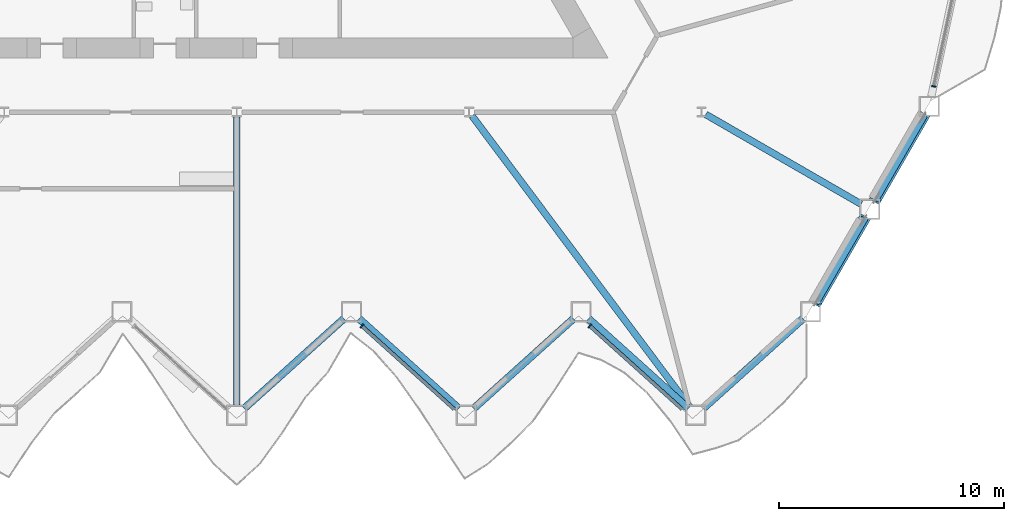
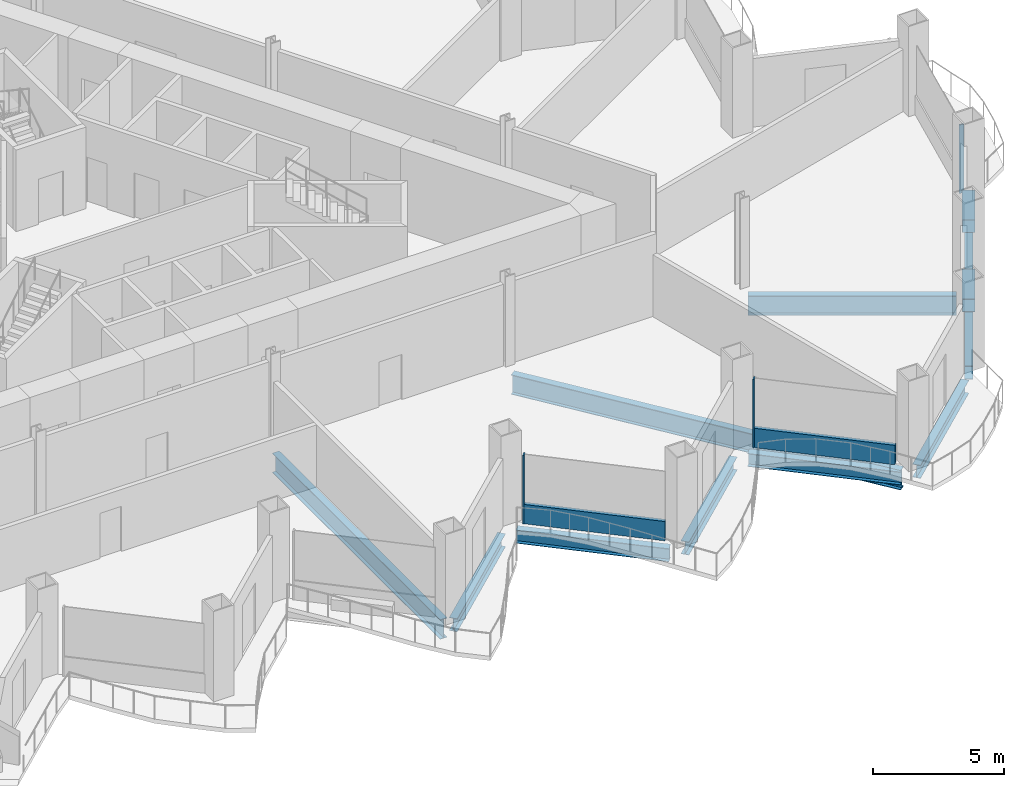
# One storey, part 5 of 21: 10 beams, 7 members, 3 elements without a shape of their own.
"""IFC4 building model written with IfcOpenShell, lengths in metres."""

from ifc_helpers import new_model, si_unit, direction, frame, origin, origin_2d, place, context, subcontext, project, spatial, rectangle, hollow_rectangle, i_section, extrude, material, layer, layer_set, material_profile, profile_set, type_object, element, aggregate, save


model = new_model("IFC4")

# Units and contexts
model_context = context("Model", 3, precision=1e-05, world=origin(), true_north=direction((0.0, 1.0)))
body_context = subcontext(model_context, "Body", "Model", "MODEL_VIEW")
ifc_project = project(units=[si_unit("LENGTHUNIT", "METRE"), si_unit("AREAUNIT", "SQUARE_METRE"), si_unit("VOLUMEUNIT", "CUBIC_METRE"), si_unit("PLANEANGLEUNIT", "RADIAN"), si_unit("MASSUNIT", "GRAM", prefix="KILO")], contexts=[model_context])

# Site, building, storey
site_placement = place(None, origin())
site = spatial("IfcSite", under=ifc_project, at=site_placement, CompositionType="ELEMENT")
building_placement = place(site_placement, origin())
building = spatial("IfcBuilding", under=site, at=building_placement, Name="Cormorant Prow Tower", CompositionType="ELEMENT")
storey_placement = place(building_placement, frame((0.0, 0.0, 137.39990234375)))
storey = spatial("IfcBuildingStorey", under=building, at=storey_placement, Name="L29", CompositionType="ELEMENT", Elevation=137.39990234375)

# Members
ifc_material_1 = material(Name="Structural steel ASTM A500 Gr C", Category="steel")
ifc_material_profile_1 = material_profile(ifc_material_1, hollow_rectangle(XDim=0.508056640625, YDim=0.508056640625, WallThickness=0.014892578125, at=origin_2d()), Name="HSS20x20x5/8")
ifc_profile_set_1 = profile_set([ifc_material_profile_1], Name="Structural steel ASTM A500 Gr C")
member_type_1 = type_object("IfcMemberType", Name="Chamfer brace HSS20x20x5/8", PredefinedType="BRACE", material=ifc_profile_set_1)
for number, where, z_axis, x_axis, name in (
    (1, (27.900634765625, -16.648681640625, 0.776611328125), (-0.467784671838, -0.810243526908, 0.35310469821), (0.866029868417, -0.499992266949, 0.0), "Chamfer brace BR1 at ESE00 L29"),
    (2, (30.535400390625, -12.0849609375, 0.776611328125), (-0.467784671838, -0.810243526908, 0.35310469821), (0.866029868417, -0.499992266949, 0.0), "Chamfer brace BR1 at ESE01 L29"),
):
    element("IfcMember", number, at=place(storey_placement, frame(where, z_axis=z_axis, x_axis=x_axis)), inside=storey, type_object=member_type_1, Name=name, PredefinedType="BRACE", context=body_context, shape_type="SweptSolid", body=[
        extrude(hollow_rectangle(XDim=0.508056640625, YDim=0.508056640625, WallThickness=0.014892578125, at=origin_2d()), origin(), (0.0, 0.0, 1.0), 4.632568359375),
    ])

# Curtain wall, member
ifc_material_2 = material(Name="Aluminium 6063-T6", Category="aluminium")
ifc_layer = layer(ifc_material_2, 0.199951171875)
ifc_layer_set = layer_set([ifc_layer], Name="Aluminium 6063-T6")
curtain_wall_type = type_object("IfcCurtainWallType", Name="Office unitised curtain wall 200", PredefinedType="NOTDEFINED", material=ifc_layer_set)
curtain_wall_1_placement = place(storey_placement, origin())
curtain_wall_1 = element("IfcCurtainWall", 3, at=curtain_wall_1_placement, inside=storey, type_object=curtain_wall_type, Name="Office curtain wall S06", PredefinedType="NOTDEFINED")
ifc_material_3 = material(Name="Aluminium 6063-T6", Category="aluminium")
ifc_material_profile_2 = material_profile(ifc_material_3, rectangle(XDim=0.199951171875, YDim=0.06005859375, at=origin_2d()), Name="Office mullion 60x200")
ifc_profile_set_2 = profile_set([ifc_material_profile_2], Name="Aluminium 6063-T6")
member_type_2 = type_object("IfcMemberType", Name="Office mullion 60x200", PredefinedType="MULLION", material=ifc_profile_set_2)
member_1_placement = place(storey_placement, frame((5.5595703125, -21.43359375, 0.0), z_axis=(0.0, 0.0, 1.0), x_axis=(0.669130582818, 0.743144846674, 0.0)))
member_1 = element("IfcMember", 4, at=member_1_placement, type_object=member_type_2, Name="Office mullion S06", PredefinedType="MULLION", context=body_context, shape_type="SweptSolid", body=[
    extrude(rectangle(XDim=0.199951171875, YDim=0.06005859375, at=origin_2d()), origin(), (0.0, 0.0, 1.0), 3.18896484375),
])

curtain_wall_2_placement = place(storey_placement, origin())
curtain_wall_2 = element("IfcCurtainWall", 5, at=curtain_wall_2_placement, inside=storey, type_object=curtain_wall_type, Name="Office curtain wall S08", PredefinedType="NOTDEFINED")
member_2_placement = place(storey_placement, frame((15.6884765625, -21.43359375, 0.0), z_axis=(0.0, 0.0, 1.0), x_axis=(0.669130582818, 0.743144846674, 0.0)))
member_2 = element("IfcMember", 6, at=member_2_placement, type_object=member_type_2, Name="Office mullion S08", PredefinedType="MULLION", context=body_context, shape_type="SweptSolid", body=[
    extrude(rectangle(XDim=0.199951171875, YDim=0.06005859375, at=origin_2d()), origin(), (0.0, 0.0, 1.0), 3.18896484375),
])

curtain_wall_3_placement = place(storey_placement, origin())
curtain_wall_3 = element("IfcCurtainWall", 7, at=curtain_wall_3_placement, inside=storey, type_object=curtain_wall_type, Name="Office curtain wall ENE00", PredefinedType="NOTDEFINED")
member_3_placement = place(storey_placement, frame((30.975830078125, -10.78466796875, 0.0), z_axis=(0.0, 0.0, 1.0), x_axis=(-0.978147594572, 0.207911719806, 0.0)))
member_3 = element("IfcMember", 8, at=member_3_placement, type_object=member_type_2, Name="Office mullion ENE00", PredefinedType="MULLION", context=body_context, shape_type="SweptSolid", body=[
    extrude(rectangle(XDim=0.199951171875, YDim=0.06005859375, at=origin_2d()), origin(), (0.0, 0.0, 1.0), 3.18896484375),
])
aggregate(curtain_wall_3, [member_3])

# Member
ifc_material_4 = material(Name="Terracotta", Category="masonry")
ifc_material_profile_3 = material_profile(ifc_material_4, rectangle(XDim=0.159912109375, YDim=0.89990234375, at=origin_2d()), Name="Office terracotta spandrel rail 160x900")
ifc_profile_set_3 = profile_set([ifc_material_profile_3], Name="Terracotta")
member_type_3 = type_object("IfcMemberType", Name="Office terracotta spandrel rail 160x900", PredefinedType="USERDEFINED", material=ifc_profile_set_3)
member_4_placement = place(storey_placement, frame((5.581787109375, -21.453857421875, 0.4501953125), z_axis=(0.743161287597, -0.669112322871, 0.0), x_axis=(0.669112322871, 0.743161287597, 0.0)))
member_4 = element("IfcMember", 9, at=member_4_placement, type_object=member_type_3, Name="Office spandrel rail S06", ObjectType="TRANSOM", PredefinedType="USERDEFINED", context=body_context, shape_type="SweptSolid", body=[
    extrude(rectangle(XDim=0.159912109375, YDim=0.89990234375, at=origin_2d()), origin(), (0.0, 0.0, 1.0), 5.48291015625),
])

aggregate(curtain_wall_1, [member_1, member_4])

member_5_placement = place(storey_placement, frame((15.710693359375, -21.453857421875, 0.4501953125), z_axis=(0.743161287597, -0.669112322871, 0.0), x_axis=(0.669112322871, 0.743161287597, 0.0)))
member_5 = element("IfcMember", 10, at=member_5_placement, type_object=member_type_3, Name="Office spandrel rail S08", ObjectType="TRANSOM", PredefinedType="USERDEFINED", context=body_context, shape_type="SweptSolid", body=[
    extrude(rectangle(XDim=0.159912109375, YDim=0.89990234375, at=origin_2d()), origin(), (0.0, 0.0, 1.0), 5.48291015625),
])

aggregate(curtain_wall_2, [member_2, member_5])

# Beams
ifc_material_5 = material(Name="Structural steel ASTM A992 Gr 50", Category="steel")
ifc_material_profile_4 = material_profile(ifc_material_5, i_section(OverallWidth=0.3046875, OverallDepth=0.914794921875, WebThickness=0.0166015625, FlangeThickness=0.02587890625, at=origin_2d()), Name="W36x160")
ifc_profile_set_4 = profile_set([ifc_material_profile_4], Name="Structural steel ASTM A992 Gr 50")
beam_type_1 = type_object("IfcBeamType", Name="Radial floor beam W36x160", PredefinedType="BEAM", material=ifc_profile_set_4)
beam_1_placement = place(storey_placement, frame((0.0, -12.143798828125, -0.857177734375), z_axis=(0.0, -1.0, 0.0), x_axis=(1.0, 0.0, 0.0)))
element("IfcBeam", 11, at=beam_1_placement, inside=storey, type_object=beam_type_1, Name="Radial floor beam FB1 7 L29", PredefinedType="BEAM", context=body_context, shape_type="SweptSolid", body=[
    extrude(i_section(OverallWidth=0.3046875, OverallDepth=0.914794921875, WebThickness=0.0166015625, FlangeThickness=0.02587890625, at=origin_2d()), origin(), (0.0, 0.0, 1.0), 12.805419921875),
])
beam_2_placement = place(storey_placement, frame((10.458740234375, -12.100341796875, -0.857177734375), z_axis=(0.598722444929, -0.800956574315, 0.0), x_axis=(0.800956574315, 0.598722444929, 0.0)))
element("IfcBeam", 12, at=beam_2_placement, inside=storey, type_object=beam_type_1, Name="Radial floor beam FB1 8 L29", PredefinedType="BEAM", context=body_context, shape_type="SweptSolid", body=[
    extrude(i_section(OverallWidth=0.3046875, OverallDepth=0.914794921875, WebThickness=0.0166015625, FlangeThickness=0.02587890625, at=origin_2d()), origin(), (0.0, 0.0, 1.0), 16.15380859375),
])
beam_3_placement = place(storey_placement, frame((20.84521484375, -12.034912109375, -0.857177734375), z_axis=(0.866018715534, -0.50001158421, 0.0), x_axis=(0.50001158421, 0.866018715534, 0.0)))
element("IfcBeam", 13, at=beam_3_placement, inside=storey, type_object=beam_type_1, Name="Radial floor beam FB1 9 L29", PredefinedType="BEAM", context=body_context, shape_type="SweptSolid", body=[
    extrude(i_section(OverallWidth=0.3046875, OverallDepth=0.914794921875, WebThickness=0.0166015625, FlangeThickness=0.02587890625, at=origin_2d()), origin(), (0.0, 0.0, 1.0), 7.967041015625),
])
ifc_material_6 = material(Name="Structural steel ASTM A992 Gr 50", Category="steel")
ifc_material_profile_5 = material_profile(ifc_material_6, i_section(OverallWidth=0.32373046875, OverallDepth=0.611083984375, WebThickness=0.0126953125, FlangeThickness=0.01904296875, at=origin_2d()), Name="W24x104")
ifc_profile_set_5 = profile_set([ifc_material_profile_5], Name="Structural steel ASTM A992 Gr 50")
beam_type_2 = type_object("IfcBeamType", Name="Spandrel beam W24x104", PredefinedType="SPANDREL", material=ifc_profile_set_5)
for number, where, z_axis, x_axis, name in (
    (14, (0.33447265625, -25.09814453125, -0.70556640625), (0.743131253571, 0.66914567918, 0.0), (-0.66914567918, 0.743131253571, 0.0), "Spandrel beam SB1 S05-S06 L29"),
    (15, (5.434326171875, -21.108154296875, -0.70556640625), (0.743131253571, -0.66914567918, 0.0), (0.66914567918, 0.743131253571, 0.0), "Spandrel beam SB1 S06-S07 L29"),
    (16, (10.5341796875, -25.09814453125, -0.70556640625), (0.743131253571, 0.66914567918, 0.0), (-0.66914567918, 0.743131253571, 0.0), "Spandrel beam SB1 S07-S08 L29"),
    (17, (15.63427734375, -21.108154296875, -0.70556640625), (0.743131253571, -0.66914567918, 0.0), (0.66914567918, 0.743131253571, 0.0), "Spandrel beam SB1 S08-S09 L29"),
    (18, (20.734130859375, -25.09814453125, -0.70556640625), (0.743131253571, 0.66914567918, 0.0), (-0.66914567918, 0.743131253571, 0.0), "Spandrel beam SB1 S09-ESE00 L29"),
):
    element("IfcBeam", number, at=place(storey_placement, frame(where, z_axis=z_axis, x_axis=x_axis)), inside=storey, type_object=beam_type_2, Name=name, PredefinedType="SPANDREL", context=body_context, shape_type="SweptSolid", body=[
        extrude(i_section(OverallWidth=0.32373046875, OverallDepth=0.611083984375, WebThickness=0.0126953125, FlangeThickness=0.01904296875, at=origin_2d()), origin(), (0.0, 0.0, 1.0), 5.962890625),
    ])
for number, where, z_axis, x_axis, name in (
    (19, (25.724609375, -20.41748046875, -0.70556640625), (0.500002967982, 0.866023690213, 0.0), (-0.866023690213, 0.500002967982, 0.0), "Spandrel beam SB1 ESE00-ESE01 L29"),
    (20, (28.359619140625, -15.853759765625, -0.70556640625), (0.500002967982, 0.866023690213, 0.0), (-0.866023690213, 0.500002967982, 0.0), "Spandrel beam SB1 ESE01-ENE00 L29"),
):
    element("IfcBeam", number, at=place(storey_placement, frame(where, z_axis=z_axis, x_axis=x_axis)), inside=storey, type_object=beam_type_2, Name=name, PredefinedType="SPANDREL", context=body_context, shape_type="SweptSolid", body=[
        extrude(i_section(OverallWidth=0.32373046875, OverallDepth=0.611083984375, WebThickness=0.0126953125, FlangeThickness=0.01904296875, at=origin_2d()), origin(), (0.0, 0.0, 1.0), 4.36962890625),
    ])

save(model, "model.ifc")
